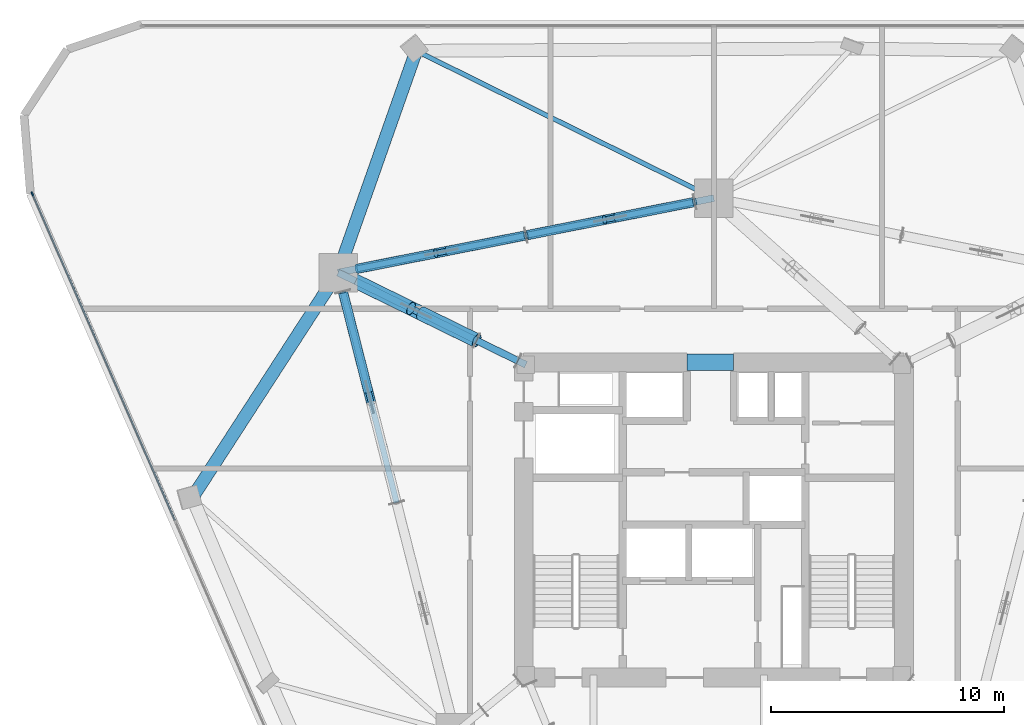
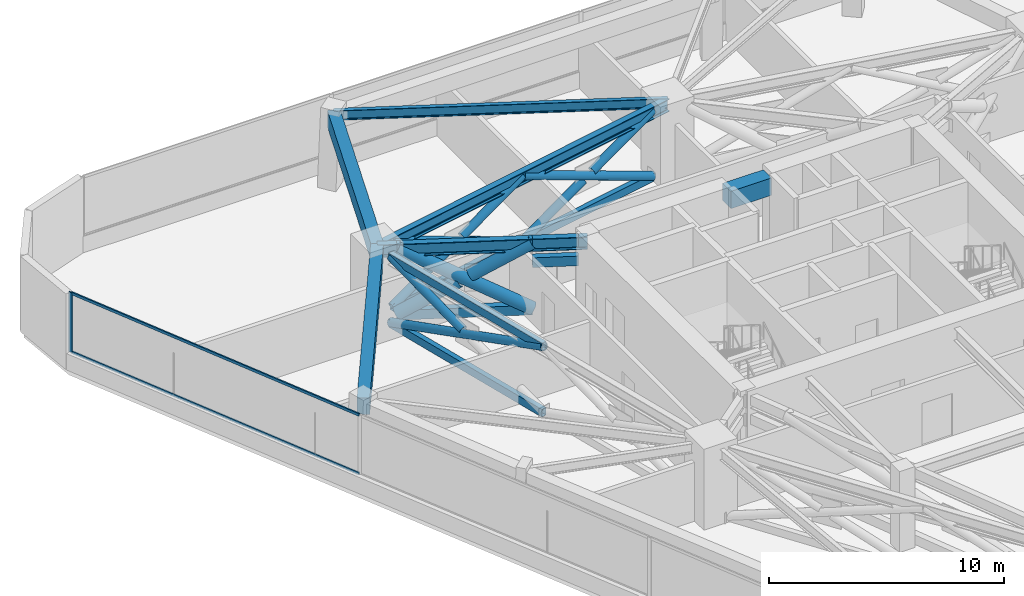
# One storey, part 5 of 14: 24 members, 6 beams, 1 element without a shape of its own.
"""IFC4 building model written with IfcOpenShell, lengths in metres."""

from ifc_helpers import new_model, si_unit, direction, frame, origin, origin_2d, place, context, subcontext, project, spatial, rectangle, hollow_rectangle, hollow_circle, i_section, extrude, material, layer, layer_set, material_profile, profile_set, type_object, element, aggregate, save


model = new_model("IFC4")

# Units and contexts
model_context = context("Model", 3, precision=1e-05, world=origin(), true_north=direction((0.0, 1.0)))
body_context = subcontext(model_context, "Body", "Model", "MODEL_VIEW")
ifc_project = project(units=[si_unit("LENGTHUNIT", "METRE"), si_unit("AREAUNIT", "SQUARE_METRE"), si_unit("VOLUMEUNIT", "CUBIC_METRE"), si_unit("PLANEANGLEUNIT", "RADIAN"), si_unit("MASSUNIT", "GRAM", prefix="KILO")], contexts=[model_context])

# Site, building, storey
site_placement = place(None, origin())
site = spatial("IfcSite", under=ifc_project, at=site_placement, CompositionType="ELEMENT")
building_placement = place(site_placement, origin())
building = spatial("IfcBuilding", under=site, at=building_placement, Name="Talyreon Biosciences Tower", CompositionType="ELEMENT")
storey_placement = place(building_placement, frame((0.0, 0.0, 123.0)))
storey = spatial("IfcBuildingStorey", under=building, at=storey_placement, Name="L32", CompositionType="ELEMENT", Elevation=123.0)

# Members
ifc_material_1 = material(Name="Steel SM355", Category="steel")
ifc_material_profile_1 = material_profile(ifc_material_1, hollow_circle(Radius=0.203125, WallThickness=0.01611328125, at=origin_2d()), Name="CHS 406.4x16")
ifc_profile_set_1 = profile_set([ifc_material_profile_1], Name="Steel SM355")
member_type_1 = type_object("IfcMemberType", Name="BeltBrace_CHS406", PredefinedType="BRACE", material=ifc_profile_set_1)
member_1_placement = place(storey_placement, frame((65.180908203125, 81.626708984375, 0.239990234375), z_axis=(-0.88916183844, -0.176163482085, 0.422324108525), x_axis=(0.194345495342, -0.980933141677, 0.0)))
element("IfcMember", 1, at=member_1_placement, inside=storey, type_object=member_type_1, Name="L32 Continuous Diagonal BELT-L32-B4S1A", PredefinedType="BRACE", context=body_context, shape_type="SweptSolid", body=[
    extrude(hollow_circle(Radius=0.203125, WallThickness=0.01611328125, at=origin_2d()), origin(), (0.0, 0.0, 1.0), 8.1337890625),
])
for number, where, z_axis, x_axis, name in (
    (2, (57.94873046875, 80.19384765625, 0.239990234375), (0.889185648486, 0.176135092203, 0.42228581769), (-0.194310351205, 0.980940103887, 0.0), "L32 Split Diagonal BELT-L32-B4S1B-Lower"),
    (3, (61.813720703125, 80.95947265625, 2.07568359375), (0.889151341224, 0.17619276505, 0.422333993355), (-0.194378788245, 0.980926544997, 0.0), "L32 Split Diagonal BELT-L32-B4S1B-Upper"),
):
    element("IfcMember", number, at=place(storey_placement, frame(where, z_axis=z_axis, x_axis=x_axis)), inside=storey, type_object=member_type_1, Name=name, PredefinedType="BRACE", context=body_context, shape_type="SweptSolid", body=[
        extrude(hollow_circle(Radius=0.203125, WallThickness=0.01611328125, at=origin_2d()), origin(), (0.0, 0.0, 1.0), 3.786865234375),
    ])
member_2_placement = place(storey_placement, frame((57.94873046875, 80.19384765625, 0.239990234375), z_axis=(-0.889155553116, -0.176168183824, 0.422335380202), x_axis=(0.194351808375, -0.980931890898, 0.0)))
element("IfcMember", 4, at=member_2_placement, inside=storey, type_object=member_type_1, Name="L32 Continuous Diagonal BELT-L32-B4S2A", PredefinedType="BRACE", context=body_context, shape_type="SweptSolid", body=[
    extrude(hollow_circle(Radius=0.203125, WallThickness=0.01611328125, at=origin_2d()), origin(), (0.0, 0.0, 1.0), 8.133544921875),
])
member_3_placement = place(storey_placement, frame((50.716796875, 78.760986328125, 0.239990234375), z_axis=(0.889172150368, 0.176145189965, 0.422310027185), x_axis=(-0.194323908823, 0.980937418218, 0.0)))
element("IfcMember", 5, at=member_3_placement, inside=storey, type_object=member_type_1, Name="L32 Split Diagonal BELT-L32-B4S2B-Lower", PredefinedType="BRACE", context=body_context, shape_type="SweptSolid", body=[
    extrude(hollow_circle(Radius=0.203125, WallThickness=0.01611328125, at=origin_2d()), origin(), (0.0, 0.0, 1.0), 3.78662109375),
])
member_4_placement = place(storey_placement, frame((54.581787109375, 79.526611328125, 2.07568359375), z_axis=(0.889137839694, 0.176202865339, 0.422358203744), x_axis=(-0.194392350263, 0.980923857473, 0.0)))
element("IfcMember", 6, at=member_4_placement, inside=storey, type_object=member_type_1, Name="L32 Split Diagonal BELT-L32-B4S2B-Upper", PredefinedType="BRACE", context=body_context, shape_type="SweptSolid", body=[
    extrude(hollow_circle(Radius=0.203125, WallThickness=0.01611328125, at=origin_2d()), origin(), (0.0, 0.0, 1.0), 3.786865234375),
])
member_5_placement = place(storey_placement, frame((50.103515625, 77.78955078125, 0.239990234375), z_axis=(0.231380525545, -0.909548748824, 0.345230540235), x_axis=(0.969133072128, 0.24653820902, 0.0)))
element("IfcMember", 7, at=member_5_placement, inside=storey, type_object=member_type_1, Name="L32 Continuous Diagonal BELT-L32-B5S1A", PredefinedType="BRACE", context=body_context, shape_type="SweptSolid", body=[
    extrude(hollow_circle(Radius=0.203125, WallThickness=0.01611328125, at=origin_2d()), origin(), (0.0, 0.0, 1.0), 9.949951171875),
])
member_6_placement = place(storey_placement, frame((51.189697265625, 73.519287109375, 2.05419921875), z_axis=(-0.231353468322, 0.90955349841, 0.345236160079), x_axis=(-0.969140267569, -0.246509922269, 0.0)))
element("IfcMember", 8, at=member_6_placement, inside=storey, type_object=member_type_1, Name="L32 Split Diagonal BELT-L32-B5S1B-Upper", PredefinedType="BRACE", context=body_context, shape_type="SweptSolid", body=[
    extrude(hollow_circle(Radius=0.203125, WallThickness=0.01611328125, at=origin_2d()), origin(), (0.0, 0.0, 1.0), 4.69482421875),
])
ifc_material_profile_2 = material_profile(ifc_material_1, hollow_rectangle(XDim=0.25, YDim=0.39990234375, WallThickness=0.01611328125, at=origin_2d()), Name="RHS 400x250x16")
ifc_profile_set_2 = profile_set([ifc_material_profile_2], Name="Steel SM355")
member_type_2 = type_object("IfcMemberType", Name="BeltChord_RHS400x250", PredefinedType="CHORD", material=ifc_profile_set_2)
for number, where, z_axis, x_axis, name in (
    (9, (65.180908203125, 81.626708984375, 0.239990234375), (-0.980933141677, -0.194345495342, 0.0), (0.194345495342, -0.980933141677, 0.0), "L32 Truss Bottom Chord BELT-L32-B4S1"),
    (10, (65.180908203125, 81.626708984375, 3.675048828125), (-0.980933141677, -0.194345495342, 0.0), (0.194345495342, -0.980933141677, 0.0), "L32 Truss Top Chord BELT-L32-B4S1"),
):
    element("IfcMember", number, at=place(storey_placement, frame(where, z_axis=z_axis, x_axis=x_axis)), inside=storey, type_object=member_type_2, Name=name, PredefinedType="CHORD", context=body_context, shape_type="SweptSolid", body=[
        extrude(hollow_rectangle(XDim=0.25, YDim=0.39990234375, WallThickness=0.01611328125, at=origin_2d()), origin(), (0.0, 0.0, 1.0), 7.372802734375),
    ])
for number, where, z_axis, x_axis, name in (
    (11, (57.94873046875, 80.19384765625, 0.239990234375), (-0.980931890898, -0.194351808375, 0.0), (0.194351808375, -0.980931890898, 0.0), "L32 Truss Bottom Chord BELT-L32-B4S2"),
    (12, (57.94873046875, 80.19384765625, 3.675048828125), (-0.980931890898, -0.194351808375, 0.0), (0.194351808375, -0.980931890898, 0.0), "L32 Truss Top Chord BELT-L32-B4S2"),
):
    element("IfcMember", number, at=place(storey_placement, frame(where, z_axis=z_axis, x_axis=x_axis)), inside=storey, type_object=member_type_2, Name=name, PredefinedType="CHORD", context=body_context, shape_type="SweptSolid", body=[
        extrude(hollow_rectangle(XDim=0.25, YDim=0.39990234375, WallThickness=0.01611328125, at=origin_2d()), origin(), (0.0, 0.0, 1.0), 7.37255859375),
    ])
for number, where, z_axis, x_axis, name in (
    (13, (50.103515625, 77.78955078125, 0.239990234375), (0.24653820902, -0.969133072128, 0.0), (0.969133072128, 0.24653820902, 0.0), "L32 Truss Bottom Chord BELT-L32-B5S1"),
    (14, (50.103515625, 77.78955078125, 3.675048828125), (0.24653820902, -0.969133072128, 0.0), (0.969133072128, 0.24653820902, 0.0), "L32 Truss Top Chord BELT-L32-B5S1"),
):
    element("IfcMember", number, at=place(storey_placement, frame(where, z_axis=z_axis, x_axis=x_axis)), inside=storey, type_object=member_type_2, Name=name, PredefinedType="CHORD", context=body_context, shape_type="SweptSolid", body=[
        extrude(hollow_rectangle(XDim=0.25, YDim=0.39990234375, WallThickness=0.01611328125, at=origin_2d()), origin(), (0.0, 0.0, 1.0), 9.33837890625),
    ])

# Curtain wall, members
ifc_material_2 = material(Name="Thermally broken aluminium and low-E glazing", Category="aluminium")
ifc_layer = layer(ifc_material_2, 0.18994140625)
ifc_layer_set = layer_set([ifc_layer], Name="Thermally broken aluminium and low-E glazing")
curtain_wall_type = type_object("IfcCurtainWallType", Name="CurtainWall_Zone2Genomics", PredefinedType="NOTDEFINED", material=ifc_layer_set)
curtain_wall_placement = place(storey_placement, origin())
curtain_wall = element("IfcCurtainWall", 15, at=curtain_wall_placement, inside=storey, type_object=curtain_wall_type, Name="L32 Unitised Curtain Wall FCW-L32-00", PredefinedType="NOTDEFINED")
ifc_material_3 = material(Name="Anodised thermally broken aluminium", Category="aluminium")
ifc_material_profile_3 = material_profile(ifc_material_3, rectangle(XDim=0.06494140625, YDim=0.179931640625, at=origin_2d()), Name="ALUM MULLION 65x180")
ifc_profile_set_3 = profile_set([ifc_material_profile_3], Name="Anodised thermally broken aluminium")
member_type_3 = type_object("IfcMemberType", Name="CWMullion_65x180", PredefinedType="MULLION", material=ifc_profile_set_3)
member_7_placement = place(storey_placement, frame((36.797607421875, 81.974853515625, 0.81005859375), z_axis=(0.0, 0.0, 1.0), x_axis=(-0.916489607057, -0.400058495919, 0.0)))
member_7 = element("IfcMember", 16, at=member_7_placement, type_object=member_type_3, Name="CW3 mullion 5", PredefinedType="MULLION", context=body_context, shape_type="SweptSolid", body=[
    extrude(rectangle(XDim=0.06494140625, YDim=0.179931640625, at=origin_2d()), origin(), (0.0, 0.0, 1.0), 3.114990234375),
])
ifc_material_profile_4 = material_profile(ifc_material_3, rectangle(XDim=0.06494140625, YDim=0.139892578125, at=origin_2d()), Name="ALUM TRANSOM 65x140")
ifc_profile_set_4 = profile_set([ifc_material_profile_4], Name="Anodised thermally broken aluminium")
member_type_4 = type_object("IfcMemberType", Name="CWTransom_65x140", PredefinedType="USERDEFINED", material=ifc_profile_set_4)
member_8_placement = place(storey_placement, frame((42.90234375, 67.989501953125, 0.842529296875), z_axis=(-0.400060037809, 0.916488934002, 0.0), x_axis=(-0.916488934002, -0.400060037809, 0.0)))
member_8 = element("IfcMember", 17, at=member_8_placement, type_object=member_type_4, Name="CW3 transom 4.1", ObjectType="TRANSOM", PredefinedType="USERDEFINED", context=body_context, shape_type="SweptSolid", body=[
    extrude(rectangle(XDim=0.06494140625, YDim=0.139892578125, at=origin_2d()), origin(), (0.0, 0.0, 1.0), 15.227294921875),
])
member_9_placement = place(storey_placement, frame((42.90234375, 67.989501953125, 3.892578125), z_axis=(-0.400060037809, 0.916488934002, 0.0), x_axis=(-0.916488934002, -0.400060037809, 0.0)))
member_9 = element("IfcMember", 18, at=member_9_placement, type_object=member_type_4, Name="CW3 transom 4.2", ObjectType="TRANSOM", PredefinedType="USERDEFINED", context=body_context, shape_type="SweptSolid", body=[
    extrude(rectangle(XDim=0.06494140625, YDim=0.139892578125, at=origin_2d()), origin(), (0.0, 0.0, 1.0), 15.227294921875),
])
aggregate(curtain_wall, [member_7, member_8, member_9])

# Beams
ifc_material_4 = material(Name="Concrete C60/75", Category="concrete")
ifc_material_profile_5 = material_profile(ifc_material_4, rectangle(XDim=0.699951171875, YDim=0.89990234375, at=origin_2d()), Name="RCB 700x900")
ifc_profile_set_5 = profile_set([ifc_material_profile_5], Name="Concrete C60/75")
beam_type_1 = type_object("IfcBeamType", Name="CoreCouplingLintel_700x900", PredefinedType="LINTEL", material=ifc_profile_set_5)
beam_1_placement = place(storey_placement, frame((64.85009765625, 74.75, 3.47509765625), z_axis=(1.0, 0.0, 0.0), x_axis=(0.0, 1.0, 0.0)))
element("IfcBeam", 19, at=beam_1_placement, inside=storey, type_object=beam_type_1, Name="L32 Core Coupling Lintel", PredefinedType="LINTEL", context=body_context, shape_type="SweptSolid", body=[
    extrude(rectangle(XDim=0.699951171875, YDim=0.89990234375, at=origin_2d()), origin(), (0.0, 0.0, 1.0), 2.0),
])
ifc_material_5 = material(Name="Precast concrete C45/55", Category="concrete")
ifc_material_profile_6 = material_profile(ifc_material_5, rectangle(XDim=0.550048828125, YDim=0.85009765625, at=origin_2d()), Name="RCB 550x850")
ifc_profile_set_6 = profile_set([ifc_material_profile_6], Name="Precast concrete C45/55")
beam_type_2 = type_object("IfcBeamType", Name="ExpressedSpandrel_550x850", PredefinedType="SPANDREL", material=ifc_profile_set_6)
beam_2_placement = place(storey_placement, frame((53.248046875, 88.10302734375, 3.5), z_axis=(-0.332453869538, -0.94311951768, 0.0), x_axis=(0.94311951768, -0.332453869538, 0.0)))
element("IfcBeam", 20, at=beam_2_placement, inside=storey, type_object=beam_type_2, Name="L32 Expressed Horizontal Concrete Spandrel 08", PredefinedType="SPANDREL", context=body_context, shape_type="SweptSolid", body=[
    extrude(rectangle(XDim=0.550048828125, YDim=0.85009765625, at=origin_2d()), origin(), (0.0, 0.0, 1.0), 10.07763671875),
])
beam_3_placement = place(storey_placement, frame((49.897705078125, 78.5986328125, 3.5), z_axis=(-0.543474946506, -0.839425388299, 0.0), x_axis=(0.839425388299, -0.543474946506, 0.0)))
element("IfcBeam", 21, at=beam_3_placement, inside=storey, type_object=beam_type_2, Name="L32 Expressed Horizontal Concrete Spandrel 09", PredefinedType="SPANDREL", context=body_context, shape_type="SweptSolid", body=[
    extrude(rectangle(XDim=0.550048828125, YDim=0.85009765625, at=origin_2d()), origin(), (0.0, 0.0, 1.0), 11.49462890625),
])

# Members
ifc_material_profile_7 = material_profile(ifc_material_1, hollow_circle(Radius=0.304931640625, WallThickness=0.02490234375, at=origin_2d()), Name="CHS 610x25")
ifc_profile_set_7 = profile_set([ifc_material_profile_7], Name="Steel SM355")
member_type_5 = type_object("IfcMemberType", Name="OutriggerBrace_CHS610", PredefinedType="BRACE", material=ifc_profile_set_7)
member_10_placement = place(storey_placement, frame((55.840087890625, 75.684814453125, 0.239990234375), z_axis=(-0.771969352561, 0.378544445097, 0.510653915869), x_axis=(-0.440277334471, -0.897861831659, 0.0)))
element("IfcMember", 22, at=member_10_placement, inside=storey, type_object=member_type_5, Name="L32 Continuous Diagonal OUT-L32-R5A", PredefinedType="BRACE", context=body_context, shape_type="SweptSolid", body=[
    extrude(hollow_circle(Radius=0.304931640625, WallThickness=0.02490234375, at=origin_2d()), origin(), (0.0, 0.0, 1.0), 6.726806640625),
])
member_11_placement = place(storey_placement, frame((50.647216796875, 78.231201171875, 0.239990234375), z_axis=(0.771988042994, -0.37855126498, 0.510620604027), x_axis=(0.440275135611, 0.897862909894, 0.0)))
element("IfcMember", 23, at=member_11_placement, inside=storey, type_object=member_type_5, Name="L32 Split Diagonal OUT-L32-R5B-Lower", PredefinedType="BRACE", context=body_context, shape_type="SweptSolid", body=[
    extrude(hollow_circle(Radius=0.304931640625, WallThickness=0.02490234375, at=origin_2d()), origin(), (0.0, 0.0, 1.0), 3.08349609375),
])
member_12_placement = place(storey_placement, frame((53.459716796875, 76.851806640625, 2.1005859375), z_axis=(0.772011180435, -0.378483429998, 0.510635907962), x_axis=(0.44020089323, 0.897899311504, 0.0)))
element("IfcMember", 24, at=member_12_placement, inside=storey, type_object=member_type_5, Name="L32 Split Diagonal OUT-L32-R5B-Upper", PredefinedType="BRACE", context=body_context, shape_type="SweptSolid", body=[
    extrude(hollow_circle(Radius=0.304931640625, WallThickness=0.02490234375, at=origin_2d()), origin(), (0.0, 0.0, 1.0), 3.083251953125),
])
ifc_material_profile_8 = material_profile(ifc_material_1, hollow_rectangle(XDim=0.300048828125, YDim=0.5, WallThickness=0.02001953125, at=origin_2d()), Name="RHS 500x300x20")
ifc_profile_set_8 = profile_set([ifc_material_profile_8], Name="Steel SM355")
member_type_6 = type_object("IfcMemberType", Name="OutriggerChord_RHS500x300", PredefinedType="CHORD", material=ifc_profile_set_8)
for number, where, z_axis, x_axis, name in (
    (25, (57.604248046875, 74.819580078125, 3.675048828125), (-0.897830193079, 0.44034184947, 0.0), (-0.44034184947, -0.897830193079, 0.0), "L32 Outrigger Core Top Tie 5"),
    (26, (57.604248046875, 74.819580078125, 2.699951171875), (-0.897830193079, 0.44034184947, 0.0), (-0.44034184947, -0.897830193079, 0.0), "L32 Outrigger Core Plenum Tie 5"),
):
    element("IfcMember", number, at=place(storey_placement, frame(where, z_axis=z_axis, x_axis=x_axis)), inside=storey, type_object=member_type_6, Name=name, PredefinedType="CHORD", context=body_context, shape_type="SweptSolid", body=[
        extrude(hollow_rectangle(XDim=0.300048828125, YDim=0.5, WallThickness=0.02001953125, at=origin_2d()), origin(), (0.0, 0.0, 1.0), 1.96484375),
    ])
for number, where, z_axis, x_axis, name in (
    (27, (55.840087890625, 75.684814453125, 0.239990234375), (-0.897861831659, 0.440277334471, 0.0), (-0.440277334471, -0.897861831659, 0.0), "L32 Truss Bottom Chord OUT-L32-R5"),
    (28, (55.840087890625, 75.684814453125, 3.675048828125), (-0.897861831659, 0.440277334471, 0.0), (-0.440277334471, -0.897861831659, 0.0), "L32 Truss Top Chord OUT-L32-R5"),
):
    element("IfcMember", number, at=place(storey_placement, frame(where, z_axis=z_axis, x_axis=x_axis)), inside=storey, type_object=member_type_6, Name=name, PredefinedType="CHORD", context=body_context, shape_type="SweptSolid", body=[
        extrude(hollow_rectangle(XDim=0.300048828125, YDim=0.5, WallThickness=0.02001953125, at=origin_2d()), origin(), (0.0, 0.0, 1.0), 5.78369140625),
    ])

# Beams
ifc_material_profile_9 = material_profile(ifc_material_1, i_section(OverallWidth=0.300048828125, OverallDepth=0.64990234375, WebThickness=0.01611328125, FlangeThickness=0.031005859375, FilletRadius=0.027099609375, at=origin_2d()), Name="HE650B")
ifc_profile_set_9 = profile_set([ifc_material_profile_9], Name="Steel SM355")
beam_type_3 = type_object("IfcBeamType", Name="SteelBeam_HE650B", PredefinedType="BEAM", material=ifc_profile_set_9)
beam_4_placement = place(storey_placement, frame((66.0, 81.788818359375, 3.60009765625), z_axis=(-0.980933730698, -0.194342522311, 0.0), x_axis=(0.194342522311, -0.980933730698, 0.0)))
element("IfcBeam", 29, at=beam_4_placement, inside=storey, type_object=beam_type_3, Name="L32 Mega-Ring Girder 4", PredefinedType="BEAM", context=body_context, shape_type="SweptSolid", body=[
    extrude(i_section(OverallWidth=0.300048828125, OverallDepth=0.64990234375, WebThickness=0.01611328125, FlangeThickness=0.031005859375, FilletRadius=0.027099609375, at=origin_2d()), origin(), (0.0, 0.0, 1.0), 16.415283203125),
])
beam_5_placement = place(storey_placement, frame((57.949951171875, 74.64990234375, 3.60009765625), z_axis=(-0.897852360314, 0.440296648952, 0.0), x_axis=(-0.440296648952, -0.897852360314, 0.0)))
element("IfcBeam", 30, at=beam_5_placement, inside=storey, type_object=beam_type_3, Name="L32 Radial Primary Girder 5", PredefinedType="BEAM", context=body_context, shape_type="SweptSolid", body=[
    extrude(i_section(OverallWidth=0.300048828125, OverallDepth=0.64990234375, WebThickness=0.01611328125, FlangeThickness=0.031005859375, FilletRadius=0.027099609375, at=origin_2d()), origin(), (0.0, 0.0, 1.0), 8.96826171875),
])
ifc_material_profile_10 = material_profile(ifc_material_1, i_section(OverallWidth=0.199951171875, OverallDepth=0.5, WebThickness=0.01025390625, FlangeThickness=0.01611328125, FilletRadius=0.02099609375, at=origin_2d()), Name="IPE500")
ifc_profile_set_10 = profile_set([ifc_material_profile_10], Name="Steel SM355")
beam_type_4 = type_object("IfcBeamType", Name="SteelJoist_IPE500", PredefinedType="JOIST", material=ifc_profile_set_10)
beam_6_placement = place(storey_placement, frame((66.0, 81.788818359375, 3.675048828125), z_axis=(-0.896156762026, 0.44373760025, 0.0), x_axis=(-0.44373760025, -0.896156762026, 0.0)))
element("IfcBeam", 31, at=beam_6_placement, inside=storey, type_object=beam_type_4, Name="L32 Radial Composite Floor Joist PC-N2", PredefinedType="JOIST", context=body_context, shape_type="SweptSolid", body=[
    extrude(i_section(OverallWidth=0.199951171875, OverallDepth=0.5, WebThickness=0.01025390625, FlangeThickness=0.01611328125, FilletRadius=0.02099609375, at=origin_2d()), origin(), (0.0, 0.0, 1.0), 14.2294921875),
])

save(model, "model.ifc")
